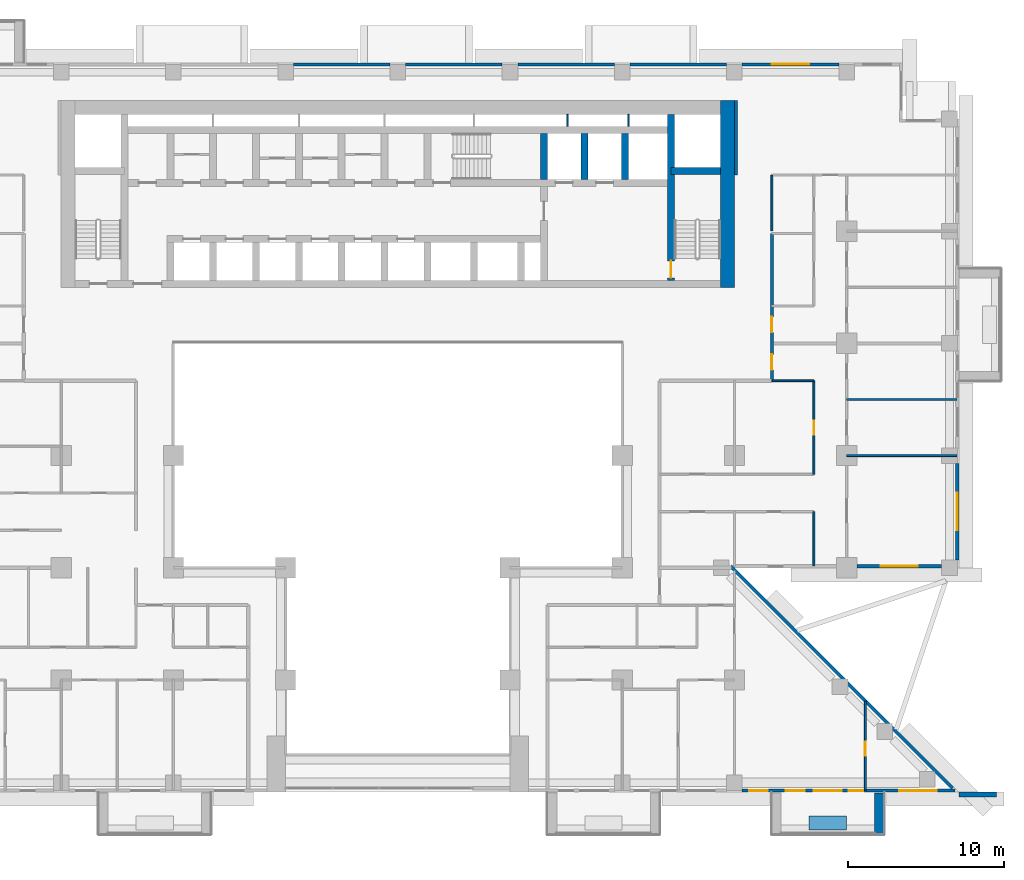
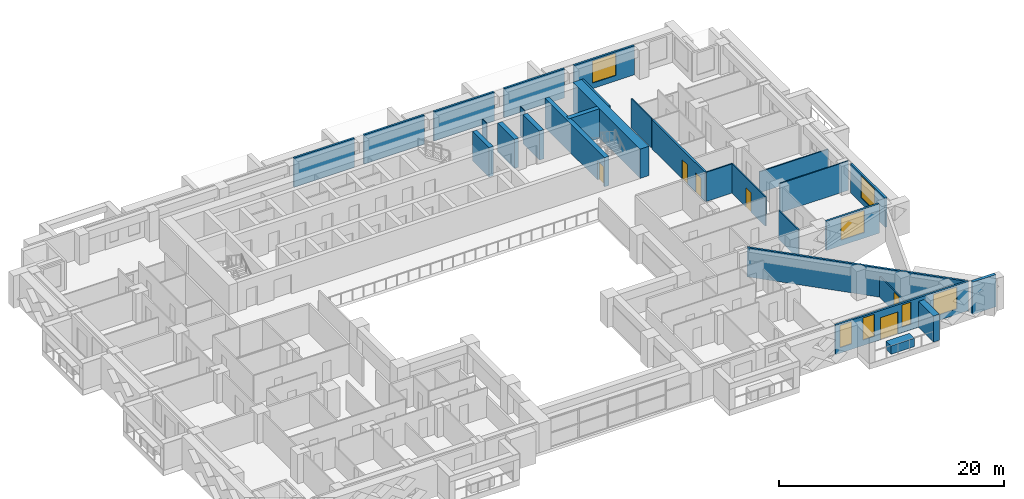
# One storey, part 11 of 17: 29 walls, 7 windows, 6 doors, 13 openings.
"""IFC4 building model written with IfcOpenShell, lengths in metres."""

from ifc_helpers import new_model, si_unit, direction, frame, frame_2d, origin, place, context, subcontext, project, spatial, rectangle, extrude, material, layer, layer_set, type_object, element, fill, save


model = new_model("IFC4")

# Units and contexts
model_context = context("Model", 3, precision=1e-05, world=origin(), true_north=direction((0.0, 1.0)))
body_context = subcontext(model_context, "Body", "Model", "MODEL_VIEW")
ifc_project = project(units=[si_unit("LENGTHUNIT", "METRE"), si_unit("AREAUNIT", "SQUARE_METRE"), si_unit("VOLUMEUNIT", "CUBIC_METRE"), si_unit("PLANEANGLEUNIT", "RADIAN"), si_unit("MASSUNIT", "GRAM", prefix="KILO")], contexts=[model_context])

# Site, building, storey
site_placement = place(None, origin())
site = spatial("IfcSite", under=ifc_project, at=site_placement, CompositionType="ELEMENT")
building_placement = place(site_placement, origin())
building = spatial("IfcBuilding", under=site, at=building_placement, Name="Saffron Iwan Residences", CompositionType="ELEMENT")
storey_placement = place(building_placement, frame((0.0, 0.0, 79.5)))
storey = spatial("IfcBuildingStorey", under=building, at=storey_placement, Name="L20", CompositionType="ELEMENT", Elevation=79.5)

# Walls
ifc_material_1 = material(Name="Concrete C50/60 white painted", Category="concrete")
ifc_layer_1 = layer(ifc_material_1, 0.60009765625)
ifc_layer_set_1 = layer_set([ifc_layer_1], Name="Concrete C50/60 white painted")
wall_type_1 = type_object("IfcWallType", Name="BALCONY FIN 600", PredefinedType="SOLIDWALL", material=ifc_layer_set_1)
wall_1_placement = place(storey_placement, frame((81.300048828125, 33.550048828125, 0.0), z_axis=(0.0, 0.0, 1.0), x_axis=(0.0, -1.0, 0.0)))
element("IfcWall", 1, at=wall_1_placement, inside=storey, type_object=wall_type_1, Name="Balcony fin L20 11-2b", PredefinedType="SOLIDWALL", context=body_context, shape_type="SweptSolid", body=[
    extrude(rectangle(XDim=2.650146484375, YDim=0.60009765625, at=frame_2d((1.3251953125, 0.0))), origin(), (0.0, 0.0, 1.0), 2.85009765625),
])
ifc_material_2 = material(Name="Concrete C35/45 white painted", Category="concrete")
ifc_layer_2 = layer(ifc_material_2, 0.14990234375)
ifc_layer_set_2 = layer_set([ifc_layer_2], Name="Concrete C35/45 white painted")
wall_type_2 = type_object("IfcWallType", Name="BALCONY PLANTER", PredefinedType="SOLIDWALL", material=ifc_layer_set_2)
wall_2_placement = place(storey_placement, frame((76.800048828125, 31.625, 0.0), z_axis=(0.0, 0.0, 1.0), x_axis=(1.0, 0.0, 0.0)))
element("IfcWall", 2, at=wall_2_placement, inside=storey, type_object=wall_type_2, Name="PLANTER L20 11-2", PredefinedType="SOLIDWALL", context=body_context, shape_type="SweptSolid", body=[
    extrude(rectangle(XDim=2.39990234375, YDim=0.89990234375, at=frame_2d((1.199951171875, 0.0))), origin(), (0.0, 0.0, 1.0), 0.89990234375),
])
ifc_material_3 = material(Name="Concrete C40/50", Category="concrete")
ifc_layer_3 = layer(ifc_material_3, 0.199951171875)
ifc_layer_set_3 = layer_set([ifc_layer_3], Name="Concrete C40/50")
wall_type_3 = type_object("IfcWallType", Name="EXTERNAL WALL 200", PredefinedType="SOLIDWALL", material=ifc_layer_set_3)
wall_3_placement = place(storey_placement, frame((85.995849609375, 33.862548828125, 0.0), z_axis=(0.0, 0.0, 1.0), x_axis=(-0.707100718496, 0.707112843825, 0.0)))
element("IfcWall", 3, at=wall_3_placement, inside=storey, type_object=wall_type_3, Name="External wall L20 F0.0", PredefinedType="SOLIDWALL", context=body_context, shape_type="SweptSolid", body=[
    extrude(rectangle(XDim=20.134765625, YDim=0.199951171875, at=frame_2d((10.0673828125, 0.0))), origin(), (0.0, 0.0, 1.0), 3.179931640625),
])

# Wall, opening, window
wall_4_placement = place(storey_placement, frame((79.85009765625, 48.10009765625, 0.0), z_axis=(0.0, 0.0, 1.0), x_axis=(1.0, 0.0, 0.0)))
wall_4 = element("IfcWall", 4, at=wall_4_placement, inside=storey, type_object=wall_type_3, Name="External wall L20 F1.1", PredefinedType="SOLIDWALL", context=body_context, shape_type="SweptSolid", body=[
    extrude(rectangle(XDim=5.449951171875, YDim=0.199951171875, at=frame_2d((2.72509765625, 0.0))), origin(), (0.0, 0.0, 1.0), 3.179931640625),
])
opening_1_placement = place(wall_4_placement, frame((1.52490234375, 0.0, 0.60009765625)))
opening_1 = element("IfcOpeningElement", 5, at=opening_1_placement, cuts=wall_4, Name="Opening W1", PredefinedType="OPENING", context=body_context, shape_type="SweptSolid", body=[
    extrude(rectangle(XDim=2.39990234375, YDim=2.39990234375, at=frame_2d((1.199951171875, 1.199951171875))), frame((0.0, 0.10986328125, 0.0), z_axis=(0.0, -1.0, 0.0), x_axis=(1.0, 0.0, 0.0)), (0.0, 0.0, 1.0), 0.219970703125),
])
ifc_material_4 = material(Name="Clear glass, laminated double glazed", Category="glass")
window_type_1 = type_object("IfcWindowType", Name="WINDOW 2400 x 2400", PartitioningType="DOUBLE_PANEL_VERTICAL", PredefinedType="WINDOW", material=ifc_material_4)
window_1_placement = place(opening_1_placement, origin())
window_1 = element("IfcWindow", 6, at=window_1_placement, inside=storey, type_object=window_type_1, Name="Window L20 F1.0", OverallHeight=2.39990234375, OverallWidth=2.39990234375, PartitioningType="DOUBLE_PANEL_VERTICAL", PredefinedType="WINDOW", context=body_context, shape_type="SweptSolid", body=[
    extrude(rectangle(XDim=2.39990234375, YDim=2.39990234375, at=frame_2d((1.199951171875, 1.199951171875))), frame((0.0, 0.030029296875, 0.0), z_axis=(0.0, -1.0, 0.0), x_axis=(1.0, 0.0, 0.0)), (0.0, 0.0, 1.0), 0.06005859375),
])
fill(opening_1, window_1)

wall_5_placement = place(storey_placement, frame((86.300048828125, 48.5, 0.0), z_axis=(0.0, 0.0, 1.0), x_axis=(0.0, 1.0, 0.0)))
wall_5 = element("IfcWall", 7, at=wall_5_placement, inside=storey, type_object=wall_type_3, Name="External wall L20 F2.0", PredefinedType="SOLIDWALL", context=body_context, shape_type="SweptSolid", body=[
    extrude(rectangle(XDim=6.199951171875, YDim=0.199951171875, at=frame_2d((3.10009765625, 0.0))), origin(), (0.0, 0.0, 1.0), 3.179931640625),
])
opening_2_placement = place(wall_5_placement, frame((1.89990234375, 0.0, 0.60009765625)))
opening_2 = element("IfcOpeningElement", 8, at=opening_2_placement, cuts=wall_5, Name="Opening W1", PredefinedType="OPENING", context=body_context, shape_type="SweptSolid", body=[
    extrude(rectangle(XDim=2.39990234375, YDim=2.39990234375, at=frame_2d((1.199951171875, 1.199951171875))), frame((0.0, 0.10986328125, 0.0), z_axis=(0.0, -1.0, 0.0), x_axis=(1.0, 0.0, 0.0)), (0.0, 0.0, 1.0), 0.219970703125),
])
window_2_placement = place(opening_2_placement, origin())
window_2 = element("IfcWindow", 9, at=window_2_placement, inside=storey, type_object=window_type_1, Name="Window L20 F2.0", OverallHeight=2.39990234375, OverallWidth=2.39990234375, PartitioningType="DOUBLE_PANEL_VERTICAL", PredefinedType="WINDOW", context=body_context, shape_type="SweptSolid", body=[
    extrude(rectangle(XDim=2.39990234375, YDim=2.39990234375, at=frame_2d((1.199951171875, 1.199951171875))), frame((0.0, 0.030029296875, 0.0), z_axis=(0.0, -1.0, 0.0), x_axis=(1.0, 0.0, 0.0)), (0.0, 0.0, 1.0), 0.06005859375),
])
fill(opening_2, window_2)

wall_6_placement = place(storey_placement, frame((78.699951171875, 80.300048828125, 0.0), z_axis=(0.0, 0.0, 1.0), x_axis=(-1.0, 0.0, 0.0)))
wall_6 = element("IfcWall", 10, at=wall_6_placement, inside=storey, type_object=wall_type_3, Name="External wall L20 F5.1", PredefinedType="SOLIDWALL", context=body_context, shape_type="SweptSolid", body=[
    extrude(rectangle(XDim=6.199951171875, YDim=0.199951171875, at=frame_2d((3.10009765625, 0.0))), origin(), (0.0, 0.0, 1.0), 3.179931640625),
])
opening_3_placement = place(wall_6_placement, frame((1.89990234375, 0.0, 0.60009765625)))
opening_3 = element("IfcOpeningElement", 11, at=opening_3_placement, cuts=wall_6, Name="Opening W1", PredefinedType="OPENING", context=body_context, shape_type="SweptSolid", body=[
    extrude(rectangle(XDim=2.39990234375, YDim=2.39990234375, at=frame_2d((1.199951171875, 1.199951171875))), frame((0.0, 0.10986328125, 0.0), z_axis=(0.0, -1.0, 0.0), x_axis=(1.0, 0.0, 0.0)), (0.0, 0.0, 1.0), 0.219970703125),
])
window_3_placement = place(opening_3_placement, origin())
window_3 = element("IfcWindow", 12, at=window_3_placement, inside=storey, type_object=window_type_1, Name="Window L20 F5.0", OverallHeight=2.39990234375, OverallWidth=2.39990234375, PartitioningType="DOUBLE_PANEL_VERTICAL", PredefinedType="WINDOW", context=body_context, shape_type="SweptSolid", body=[
    extrude(rectangle(XDim=2.39990234375, YDim=2.39990234375, at=frame_2d((1.199951171875, 1.199951171875))), frame((0.0, 0.030029296875, 0.0), z_axis=(0.0, -1.0, 0.0), x_axis=(1.0, 0.0, 0.0)), (0.0, 0.0, 1.0), 0.06005859375),
])
fill(opening_3, window_3)

# Walls
for number, where, z_axis, x_axis, name in (
    (13, (71.5, 80.300048828125, 0.0), (0.0, 0.0, 1.0), (-1.0, 0.0, 0.0), "External wall L20 F5.2"),
    (14, (64.300048828125, 80.300048828125, 0.0), (0.0, 0.0, 1.0), (-1.0, 0.0, 0.0), "External wall L20 F5.3"),
):
    element("IfcWall", number, at=place(storey_placement, frame(where, z_axis=z_axis, x_axis=x_axis)), inside=storey, type_object=wall_type_3, Name=name, PredefinedType="SOLIDWALL", context=body_context, shape_type="SweptSolid", body=[
        extrude(rectangle(XDim=6.199951171875, YDim=0.199951171875, at=frame_2d((3.10009765625, 0.0))), origin(), (0.0, 0.0, 1.0), 3.179931640625),
    ])
wall_7_placement = place(storey_placement, frame((57.10009765625, 80.300048828125, 0.0), z_axis=(0.0, 0.0, 1.0), x_axis=(-1.0, 0.0, 0.0)))
element("IfcWall", 15, at=wall_7_placement, inside=storey, type_object=wall_type_3, Name="External wall L20 F5.4", PredefinedType="SOLIDWALL", context=body_context, shape_type="SweptSolid", body=[
    extrude(rectangle(XDim=6.2001953125, YDim=0.199951171875, at=frame_2d((3.10009765625, 0.0))), origin(), (0.0, 0.0, 1.0), 3.179931640625),
])
wall_8_placement = place(storey_placement, frame((49.89990234375, 80.300048828125, 0.0), z_axis=(0.0, 0.0, 1.0), x_axis=(-1.0, 0.0, 0.0)))
element("IfcWall", 16, at=wall_8_placement, inside=storey, type_object=wall_type_3, Name="External wall L20 F5.5", PredefinedType="SOLIDWALL", context=body_context, shape_type="SweptSolid", body=[
    extrude(rectangle(XDim=6.199951171875, YDim=0.199951171875, at=frame_2d((3.10009765625, 0.0))), origin(), (0.0, 0.0, 1.0), 3.179931640625),
])

# Wall, openings, door, windows
wall_9_placement = place(storey_placement, frame((72.5, 33.699951171875, 0.0), z_axis=(0.0, 0.0, 1.0), x_axis=(1.0, 0.0, 0.0)))
wall_9 = element("IfcWall", 17, at=wall_9_placement, inside=storey, type_object=wall_type_3, Name="External wall L20 F11.6", PredefinedType="SOLIDWALL", context=body_context, shape_type="SweptSolid", body=[
    extrude(rectangle(XDim=13.65869140625, YDim=0.199951171875, at=frame_2d((6.829345703125, 0.0))), origin(), (0.0, 0.0, 1.0), 3.179931640625),
])
opening_4_placement = place(wall_9_placement, frame((4.60009765625, 0.0, 0.0)))
opening_4 = element("IfcOpeningElement", 18, at=opening_4_placement, cuts=wall_9, Name="Opening BD1", PredefinedType="OPENING", context=body_context, shape_type="SweptSolid", body=[
    extrude(rectangle(XDim=1.800048828125, YDim=2.39990234375, at=frame_2d((0.89990234375, 1.199951171875))), frame((0.0, 0.10986328125, 0.0), z_axis=(0.0, -1.0, 0.0), x_axis=(1.0, 0.0, 0.0)), (0.0, 0.0, 1.0), 0.219970703125),
])
opening_5_placement = place(wall_9_placement, frame((0.449951171875, 0.0, 0.60009765625)))
opening_5 = element("IfcOpeningElement", 19, at=opening_5_placement, cuts=wall_9, Name="Opening W3", PredefinedType="OPENING", context=body_context, shape_type="SweptSolid", body=[
    extrude(rectangle(XDim=1.199951171875, YDim=2.39990234375, at=frame_2d((0.60009765625, 1.199951171875))), frame((0.0, 0.10986328125, 0.0), z_axis=(0.0, -1.0, 0.0), x_axis=(1.0, 0.0, 0.0)), (0.0, 0.0, 1.0), 0.219970703125),
])
opening_6_placement = place(wall_9_placement, frame((2.800048828125, 0.0, 0.60009765625)))
opening_6 = element("IfcOpeningElement", 20, at=opening_6_placement, cuts=wall_9, Name="Opening W3", PredefinedType="OPENING", context=body_context, shape_type="SweptSolid", body=[
    extrude(rectangle(XDim=1.199951171875, YDim=2.39990234375, at=frame_2d((0.60009765625, 1.199951171875))), frame((0.0, 0.10986328125, 0.0), z_axis=(0.0, -1.0, 0.0), x_axis=(1.0, 0.0, 0.0)), (0.0, 0.0, 1.0), 0.219970703125),
])
opening_7_placement = place(wall_9_placement, frame((6.85009765625, 0.0, 0.60009765625)))
opening_7 = element("IfcOpeningElement", 21, at=opening_7_placement, cuts=wall_9, Name="Opening W10", PredefinedType="OPENING", context=body_context, shape_type="SweptSolid", body=[
    extrude(rectangle(XDim=0.89990234375, YDim=2.39990234375, at=frame_2d((0.449951171875, 1.199951171875))), frame((0.0, 0.10986328125, 0.0), z_axis=(0.0, -1.0, 0.0), x_axis=(1.0, 0.0, 0.0)), (0.0, 0.0, 1.0), 0.219970703125),
])
opening_8_placement = place(wall_9_placement, frame((10.079345703125, 0.0, 0.60009765625)))
opening_8 = element("IfcOpeningElement", 22, at=opening_8_placement, cuts=wall_9, Name="Opening W1", PredefinedType="OPENING", context=body_context, shape_type="SweptSolid", body=[
    extrude(rectangle(XDim=2.39990234375, YDim=2.39990234375, at=frame_2d((1.199951171875, 1.199951171875))), frame((0.0, 0.10986328125, 0.0), z_axis=(0.0, -1.0, 0.0), x_axis=(1.0, 0.0, 0.0)), (0.0, 0.0, 1.0), 0.219970703125),
])
door_type_1 = type_object("IfcDoorType", Name="BALCONY DOOR 1800 x 2400", OperationType="DOUBLE_DOOR_SLIDING", PredefinedType="DOOR", material=ifc_material_4)
door_1_placement = place(opening_4_placement, origin())
door_1 = element("IfcDoor", 23, at=door_1_placement, inside=storey, type_object=door_type_1, Name="Balcony door L20 F11.0", OperationType="DOUBLE_DOOR_SLIDING", OverallHeight=2.39990234375, OverallWidth=1.800048828125, PredefinedType="DOOR", context=body_context, shape_type="SweptSolid", body=[
    extrude(rectangle(XDim=1.800048828125, YDim=2.39990234375, at=frame_2d((0.89990234375, 1.199951171875))), frame((0.0, 0.02490234375, 0.0), z_axis=(0.0, -1.0, 0.0), x_axis=(1.0, 0.0, 0.0)), (0.0, 0.0, 1.0), 0.050048828125),
])
fill(opening_4, door_1)
window_type_2 = type_object("IfcWindowType", Name="WINDOW 1200 x 2400", PartitioningType="SINGLE_PANEL", PredefinedType="WINDOW", material=ifc_material_4)
window_4_placement = place(opening_5_placement, origin())
window_4 = element("IfcWindow", 24, at=window_4_placement, inside=storey, type_object=window_type_2, Name="Window L20 F11.1", OverallHeight=2.39990234375, OverallWidth=1.199951171875, PartitioningType="SINGLE_PANEL", PredefinedType="WINDOW", context=body_context, shape_type="SweptSolid", body=[
    extrude(rectangle(XDim=1.199951171875, YDim=2.39990234375, at=frame_2d((0.60009765625, 1.199951171875))), frame((0.0, 0.030029296875, 0.0), z_axis=(0.0, -1.0, 0.0), x_axis=(1.0, 0.0, 0.0)), (0.0, 0.0, 1.0), 0.06005859375),
])
fill(opening_5, window_4)
window_5_placement = place(opening_6_placement, origin())
window_5 = element("IfcWindow", 25, at=window_5_placement, inside=storey, type_object=window_type_2, Name="Window L20 F11.2", OverallHeight=2.39990234375, OverallWidth=1.199951171875, PartitioningType="SINGLE_PANEL", PredefinedType="WINDOW", context=body_context, shape_type="SweptSolid", body=[
    extrude(rectangle(XDim=1.199951171875, YDim=2.39990234375, at=frame_2d((0.60009765625, 1.199951171875))), frame((0.0, 0.030029296875, 0.0), z_axis=(0.0, -1.0, 0.0), x_axis=(1.0, 0.0, 0.0)), (0.0, 0.0, 1.0), 0.06005859375),
])
fill(opening_6, window_5)
window_6_placement = place(opening_8_placement, origin())
window_6 = element("IfcWindow", 26, at=window_6_placement, inside=storey, type_object=window_type_1, Name="Window L20 F11.4", OverallHeight=2.39990234375, OverallWidth=2.39990234375, PartitioningType="DOUBLE_PANEL_VERTICAL", PredefinedType="WINDOW", context=body_context, shape_type="SweptSolid", body=[
    extrude(rectangle(XDim=2.39990234375, YDim=2.39990234375, at=frame_2d((1.199951171875, 1.199951171875))), frame((0.0, 0.030029296875, 0.0), z_axis=(0.0, -1.0, 0.0), x_axis=(1.0, 0.0, 0.0)), (0.0, 0.0, 1.0), 0.06005859375),
])
fill(opening_8, window_6)
window_type_3 = type_object("IfcWindowType", Name="WINDOW 900 x 2400", PartitioningType="SINGLE_PANEL", PredefinedType="WINDOW", material=ifc_material_4)
window_7_placement = place(opening_7_placement, origin())
window_7 = element("IfcWindow", 27, at=window_7_placement, inside=storey, type_object=window_type_3, Name="Window L20 F11.3", OverallHeight=2.39990234375, OverallWidth=0.89990234375, PartitioningType="SINGLE_PANEL", PredefinedType="WINDOW", context=body_context, shape_type="SweptSolid", body=[
    extrude(rectangle(XDim=0.89990234375, YDim=2.39990234375, at=frame_2d((0.449951171875, 1.199951171875))), frame((0.0, 0.030029296875, 0.0), z_axis=(0.0, -1.0, 0.0), x_axis=(1.0, 0.0, 0.0)), (0.0, 0.0, 1.0), 0.06005859375),
])
fill(opening_7, window_7)

# Walls
ifc_material_5 = material(Name="Gypsum board partition")
ifc_layer_4 = layer(ifc_material_5, 0.1201171875)
ifc_layer_set_4 = layer_set([ifc_layer_4], Name="Gypsum board partition")
wall_type_4 = type_object("IfcWallType", Name="Flat partition 120", PredefinedType="PARTITIONING", material=ifc_layer_set_4)
wall_10_placement = place(storey_placement, frame((79.199951171875, 55.199951171875, 0.0), z_axis=(0.0, 0.0, 1.0), x_axis=(1.0, 0.0, 0.0)))
element("IfcWall", 28, at=wall_10_placement, inside=storey, type_object=wall_type_4, Name="W-L20-PART-h55.2-79.2", PredefinedType="PARTITIONING", context=body_context, shape_type="SweptSolid", body=[
    extrude(rectangle(XDim=7.074951171875, YDim=0.1201171875, at=frame_2d((3.53759765625, 0.0))), origin(), (0.0, 0.0, 1.0), 3.179931640625),
])
wall_11_placement = place(storey_placement, frame((79.199951171875, 58.800048828125, 0.0), z_axis=(0.0, 0.0, 1.0), x_axis=(1.0, 0.0, 0.0)))
element("IfcWall", 29, at=wall_11_placement, inside=storey, type_object=wall_type_4, Name="W-L20-PART-h58.8-79.2", PredefinedType="PARTITIONING", context=body_context, shape_type="SweptSolid", body=[
    extrude(rectangle(XDim=7.074951171875, YDim=0.1201171875, at=frame_2d((3.53759765625, 0.0))), origin(), (0.0, 0.0, 1.0), 2.280029296875),
])
wall_12_placement = place(storey_placement, frame((74.39990234375, 60.0, 0.0), z_axis=(0.0, 0.0, 1.0), x_axis=(1.0, 0.0, 0.0)))
element("IfcWall", 30, at=wall_12_placement, inside=storey, type_object=wall_type_4, Name="W-L20-PART-h60-74.4", PredefinedType="PARTITIONING", context=body_context, shape_type="SweptSolid", body=[
    extrude(rectangle(XDim=2.7001953125, YDim=0.1201171875, at=frame_2d((1.35009765625, 0.0))), origin(), (0.0, 0.0, 1.0), 3.179931640625),
])
wall_13_placement = place(storey_placement, frame((74.39990234375, 69.6201171875, 0.0), z_axis=(0.0, 0.0, 1.0), x_axis=(0.0, 1.0, 0.0)))
element("IfcWall", 31, at=wall_13_placement, inside=storey, type_object=wall_type_4, Name="W-L20-PART-v74.4-69.62", PredefinedType="PARTITIONING", context=body_context, shape_type="SweptSolid", body=[
    extrude(rectangle(XDim=3.579833984375, YDim=0.1201171875, at=frame_2d((1.7900390625, 0.0))), origin(), (0.0, 0.0, 1.0), 3.179931640625),
])
wall_14_placement = place(storey_placement, frame((77.10009765625, 48.125, 0.0), z_axis=(0.0, 0.0, 1.0), x_axis=(0.0, 1.0, 0.0)))
element("IfcWall", 32, at=wall_14_placement, inside=storey, type_object=wall_type_4, Name="W-L20-PART-v77.1-48.125", PredefinedType="PARTITIONING", context=body_context, shape_type="SweptSolid", body=[
    extrude(rectangle(XDim=3.47509765625, YDim=0.1201171875, at=frame_2d((1.737548828125, 0.0))), origin(), (0.0, 0.0, 1.0), 3.179931640625),
])

# Wall, opening, door
wall_15_placement = place(storey_placement, frame((77.10009765625, 54.0, 0.0), z_axis=(0.0, 0.0, 1.0), x_axis=(0.0, 1.0, 0.0)))
wall_15 = element("IfcWall", 33, at=wall_15_placement, inside=storey, type_object=wall_type_4, Name="W-L20-PART-v77.1-54", PredefinedType="PARTITIONING", context=body_context, shape_type="SweptSolid", body=[
    extrude(rectangle(XDim=6.0, YDim=0.1201171875, at=frame_2d((3.0, 0.0))), origin(), (0.0, 0.0, 1.0), 3.179931640625),
])
opening_9_placement = place(wall_15_placement, frame((2.550048828125, 0.0, 0.0)))
opening_9 = element("IfcOpeningElement", 34, at=opening_9_placement, cuts=wall_15, Name="Opening FD2", PredefinedType="OPENING", context=body_context, shape_type="SweptSolid", body=[
    extrude(rectangle(XDim=0.89990234375, YDim=2.10009765625, at=frame_2d((0.449951171875, 1.050048828125))), frame((0.0, 0.070068359375, 0.0), z_axis=(0.0, -1.0, 0.0), x_axis=(1.0, 0.0, 0.0)), (0.0, 0.0, 1.0), 0.14013671875),
])
ifc_material_6 = material(Name="Timber door", Category="wood")
door_type_2 = type_object("IfcDoorType", Name="Flat door 900", OperationType="NOTDEFINED", PredefinedType="DOOR", material=ifc_material_6)
door_2_placement = place(opening_9_placement, origin())
door_2 = element("IfcDoor", 35, at=door_2_placement, inside=storey, type_object=door_type_2, Name="Door L20-026", OperationType="SINGLE_SWING_RIGHT", OverallHeight=2.10009765625, OverallWidth=0.89990234375, PredefinedType="DOOR", context=body_context, shape_type="SweptSolid", body=[
    extrude(rectangle(XDim=0.89990234375, YDim=2.10009765625, at=frame_2d((0.449951171875, 1.050048828125))), frame((0.0, 0.02490234375, 0.0), z_axis=(0.0, -1.0, 0.0), x_axis=(1.0, 0.0, 0.0)), (0.0, 0.0, 1.0), 0.050048828125),
])
fill(opening_9, door_2)

wall_16_placement = place(storey_placement, frame((80.39990234375, 33.72509765625, 0.0), z_axis=(0.0, 0.0, 1.0), x_axis=(0.0, 1.0, 0.0)))
wall_16 = element("IfcWall", 36, at=wall_16_placement, inside=storey, type_object=wall_type_4, Name="W-L20-PART-v80.4-33.725", PredefinedType="PARTITIONING", context=body_context, shape_type="SweptSolid", body=[
    extrude(rectangle(XDim=5.697998046875, YDim=0.1201171875, at=frame_2d((2.84912109375, 0.0))), origin(), (0.0, 0.0, 1.0), 2.280029296875),
])
opening_10_placement = place(wall_16_placement, frame((2.198974609375, 0.0, 0.0)))
opening_10 = element("IfcOpeningElement", 37, at=opening_10_placement, cuts=wall_16, Name="Opening FD2", PredefinedType="OPENING", context=body_context, shape_type="SweptSolid", body=[
    extrude(rectangle(XDim=0.89990234375, YDim=2.10009765625, at=frame_2d((0.449951171875, 1.050048828125))), frame((0.0, 0.070068359375, 0.0), z_axis=(0.0, -1.0, 0.0), x_axis=(1.0, 0.0, 0.0)), (0.0, 0.0, 1.0), 0.14013671875),
])
door_3_placement = place(opening_10_placement, origin())
door_3 = element("IfcDoor", 38, at=door_3_placement, inside=storey, type_object=door_type_2, Name="Door L20-051", OperationType="SINGLE_SWING_RIGHT", OverallHeight=2.10009765625, OverallWidth=0.89990234375, PredefinedType="DOOR", context=body_context, shape_type="SweptSolid", body=[
    extrude(rectangle(XDim=0.89990234375, YDim=2.10009765625, at=frame_2d((0.449951171875, 1.050048828125))), frame((0.0, 0.02490234375, 0.0), z_axis=(0.0, -1.0, 0.0), x_axis=(1.0, 0.0, 0.0)), (0.0, 0.0, 1.0), 0.050048828125),
])
fill(opening_10, door_3)

# Wall
ifc_material_7 = material(Name="Fire-rated gypsum board wall")
ifc_layer_5 = layer(ifc_material_7, 0.199951171875)
ifc_layer_set_5 = layer_set([ifc_layer_5], Name="Fire-rated gypsum board wall")
wall_type_5 = type_object("IfcWallType", Name="Gallery wall 200", PredefinedType="SOLIDWALL", material=ifc_layer_set_5)
wall_17_placement = place(storey_placement, frame((72.10009765625, 73.199951171875, 0.0), z_axis=(0.0, 0.0, 1.0), x_axis=(0.0, 1.0, 0.0)))
element("IfcWall", 39, at=wall_17_placement, inside=storey, type_object=wall_type_5, Name="W-L20-CORR-v72-73.2", PredefinedType="SOLIDWALL", context=body_context, shape_type="SweptSolid", body=[
    extrude(rectangle(XDim=4.800048828125, YDim=0.199951171875, at=frame_2d((2.39990234375, 0.0))), origin(), (0.0, 0.0, 1.0), 3.179931640625),
])

# Wall, openings, doors
wall_18_placement = place(storey_placement, frame((74.39990234375, 60.0, 0.0), z_axis=(0.0, 0.0, 1.0), x_axis=(0.0, 1.0, 0.0)))
wall_18 = element("IfcWall", 40, at=wall_18_placement, inside=storey, type_object=wall_type_5, Name="W-L20-CORR-v74.4-60", PredefinedType="SOLIDWALL", context=body_context, shape_type="SweptSolid", body=[
    extrude(rectangle(XDim=9.449951171875, YDim=0.199951171875, at=frame_2d((4.72509765625, 0.0))), origin(), (0.0, 0.0, 1.0), 3.179931640625),
])
opening_11_placement = place(wall_18_placement, frame((0.699951171875, 0.0, 0.0)))
opening_11 = element("IfcOpeningElement", 41, at=opening_11_placement, cuts=wall_18, Name="Opening FD1", PredefinedType="OPENING", context=body_context, shape_type="SweptSolid", body=[
    extrude(rectangle(XDim=1.0, YDim=2.10009765625, at=frame_2d((0.5, 1.050048828125))), frame((0.0, 0.10986328125, 0.0), z_axis=(0.0, -1.0, 0.0), x_axis=(1.0, 0.0, 0.0)), (0.0, 0.0, 1.0), 0.219970703125),
])
opening_12_placement = place(wall_18_placement, frame((3.10009765625, 0.0, 0.0)))
opening_12 = element("IfcOpeningElement", 42, at=opening_12_placement, cuts=wall_18, Name="Opening FD1", PredefinedType="OPENING", context=body_context, shape_type="SweptSolid", body=[
    extrude(rectangle(XDim=1.0, YDim=2.10009765625, at=frame_2d((0.5, 1.050048828125))), frame((0.0, 0.10986328125, 0.0), z_axis=(0.0, -1.0, 0.0), x_axis=(1.0, 0.0, 0.0)), (0.0, 0.0, 1.0), 0.219970703125),
])
ifc_material_8 = material(Name="Fire-rated timber door", Category="wood")
door_type_3 = type_object("IfcDoorType", Name="FD30S flat entrance door 1000", OperationType="NOTDEFINED", PredefinedType="DOOR", material=ifc_material_8)
door_4_placement = place(opening_11_placement, origin())
door_4 = element("IfcDoor", 43, at=door_4_placement, inside=storey, type_object=door_type_3, Name="Door L20-021", OperationType="SINGLE_SWING_LEFT", OverallHeight=2.10009765625, OverallWidth=1.0, PredefinedType="DOOR", context=body_context, shape_type="SweptSolid", body=[
    extrude(rectangle(XDim=1.0, YDim=2.10009765625, at=frame_2d((0.5, 1.050048828125))), frame((0.0, 0.02490234375, 0.0), z_axis=(0.0, -1.0, 0.0), x_axis=(1.0, 0.0, 0.0)), (0.0, 0.0, 1.0), 0.050048828125),
])
fill(opening_11, door_4)
door_5_placement = place(opening_12_placement, origin())
door_5 = element("IfcDoor", 44, at=door_5_placement, inside=storey, type_object=door_type_3, Name="Door L20-036", OperationType="SINGLE_SWING_LEFT", OverallHeight=2.10009765625, OverallWidth=1.0, PredefinedType="DOOR", context=body_context, shape_type="SweptSolid", body=[
    extrude(rectangle(XDim=1.0, YDim=2.10009765625, at=frame_2d((0.5, 1.050048828125))), frame((0.0, 0.02490234375, 0.0), z_axis=(0.0, -1.0, 0.0), x_axis=(1.0, 0.0, 0.0)), (0.0, 0.0, 1.0), 0.050048828125),
])
fill(opening_12, door_5)

# Walls
ifc_layer_6 = layer(ifc_material_1, 0.300048828125)
ifc_layer_set_6 = layer_set([ifc_layer_6], Name="Concrete C50/60 white painted")
wall_type_6 = type_object("IfcWallType", Name="PROW BLADE 300", PredefinedType="SOLIDWALL", material=ifc_layer_set_6)
wall_19_placement = place(storey_placement, frame((86.39990234375, 33.449951171875, -0.320068359375), z_axis=(0.0, 0.0, 1.0), x_axis=(1.0, 0.0, 0.0)))
element("IfcWall", 45, at=wall_19_placement, inside=storey, type_object=wall_type_6, Name="Prow blade L20", PredefinedType="SOLIDWALL", context=body_context, shape_type="SweptSolid", body=[
    extrude(rectangle(XDim=2.400146484375, YDim=0.300048828125, at=frame_2d((1.2001953125, 0.0))), origin(), (0.0, 0.0, 1.0), 3.5),
])
ifc_material_9 = material(Name="Fire-rated plasterboard partition")
ifc_layer_7 = layer(ifc_material_9, 0.10009765625)
ifc_layer_set_7 = layer_set([ifc_layer_7], Name="Fire-rated plasterboard partition")
wall_type_7 = type_object("IfcWallType", Name="Riser partition 100", PredefinedType="PARTITIONING", material=ifc_layer_set_7)
for number, where, z_axis, x_axis, name in (
    (46, (61.300048828125, 76.324951171875, 0.0), (0.0, 0.0, 1.0), (0.0, 1.0, 0.0), "Core partition P09"),
    (47, (65.199951171875, 76.324951171875, 0.0), (0.0, 0.0, 1.0), (0.0, 1.0, 0.0), "Core partition P10"),
):
    element("IfcWall", number, at=place(storey_placement, frame(where, z_axis=z_axis, x_axis=x_axis)), inside=storey, type_object=wall_type_7, Name=name, PredefinedType="PARTITIONING", context=body_context, shape_type="SweptSolid", body=[
        extrude(rectangle(XDim=0.775146484375, YDim=0.10009765625, at=frame_2d((0.3876953125, 0.0))), origin(), (0.0, 0.0, 1.0), 3.179931640625),
    ])
ifc_material_10 = material(Name="Concrete C60/75", Category="concrete")
ifc_layer_8 = layer(ifc_material_10, 0.449951171875)
ifc_layer_set_8 = layer_set([ifc_layer_8], Name="Concrete C60/75")
wall_type_8 = type_object("IfcWallType", Name="WALL CORE 450 C60/75 3180 HIGH", PredefinedType="SHEAR", material=ifc_layer_set_8)
wall_20_placement = place(storey_placement, frame((67.925048828125, 73.47509765625, 0.0), z_axis=(0.0, 0.0, 1.0), x_axis=(1.0, 0.0, 0.0)))
element("IfcWall", 48, at=wall_20_placement, inside=storey, type_object=wall_type_8, Name="Core wall", PredefinedType="SHEAR", context=body_context, shape_type="SweptSolid", body=[
    extrude(rectangle(XDim=3.175048828125, YDim=0.449951171875, at=frame_2d((1.58740234375, 0.0))), origin(), (0.0, 0.0, 1.0), 3.179931640625),
])

# Wall, opening, door
wall_21_placement = place(storey_placement, frame((67.925048828125, 66.449951171875, 0.0), z_axis=(0.0, 0.0, 1.0), x_axis=(0.0, 1.0, 0.0)))
wall_21 = element("IfcWall", 49, at=wall_21_placement, inside=storey, type_object=wall_type_8, Name="Core wall", PredefinedType="SHEAR", context=body_context, shape_type="SweptSolid", body=[
    extrude(rectangle(XDim=10.650146484375, YDim=0.449951171875, at=frame_2d((5.3251953125, 0.0))), origin(), (0.0, 0.0, 1.0), 3.179931640625),
])
opening_13_placement = place(wall_21_placement, frame((0.14990234375, 0.0, 0.0)))
opening_13 = element("IfcOpeningElement", 50, at=opening_13_placement, cuts=wall_21, Name="Opening SD", PredefinedType="OPENING", context=body_context, shape_type="SweptSolid", body=[
    extrude(rectangle(XDim=1.10009765625, YDim=2.10009765625, at=frame_2d((0.550048828125, 1.050048828125))), frame((0.0, 0.23486328125, 0.0), z_axis=(0.0, -1.0, 0.0), x_axis=(1.0, 0.0, 0.0)), (0.0, 0.0, 1.0), 0.469970703125),
])
ifc_material_11 = material(Name="Steel fire door", Category="steel")
door_type_4 = type_object("IfcDoorType", Name="Stair door 1100", OperationType="NOTDEFINED", PredefinedType="DOOR", material=ifc_material_11)
door_6_placement = place(opening_13_placement, origin())
door_6 = element("IfcDoor", 51, at=door_6_placement, inside=storey, type_object=door_type_4, Name="Stair door ST-E", OperationType="SINGLE_SWING_LEFT", OverallHeight=2.10009765625, OverallWidth=1.10009765625, PredefinedType="DOOR", context=body_context, shape_type="SweptSolid", body=[
    extrude(rectangle(XDim=1.10009765625, YDim=2.10009765625, at=frame_2d((0.550048828125, 1.050048828125))), frame((0.0, 0.02490234375, 0.0), z_axis=(0.0, -1.0, 0.0), x_axis=(1.0, 0.0, 0.0)), (0.0, 0.0, 1.0), 0.050048828125),
])
fill(opening_13, door_6)

# Walls
for number, where, z_axis, x_axis, name in (
    (52, (59.77490234375, 72.925048828125, 0.0), (0.0, 0.0, 1.0), (0.0, 1.0, 0.0), "Core wall"),
    (53, (62.375, 72.925048828125, 0.0), (0.0, 0.0, 1.0), (0.0, 1.0, 0.0), "Core wall"),
    (54, (64.97509765625, 72.925048828125, 0.0), (0.0, 0.0, 1.0), (0.0, 1.0, 0.0), "Core wall"),
):
    element("IfcWall", number, at=place(storey_placement, frame(where, z_axis=z_axis, x_axis=x_axis)), inside=storey, type_object=wall_type_8, Name=name, PredefinedType="SHEAR", context=body_context, shape_type="SweptSolid", body=[
        extrude(rectangle(XDim=2.949951171875, YDim=0.449951171875, at=frame_2d((1.47509765625, 0.0))), origin(), (0.0, 0.0, 1.0), 3.179931640625),
    ])
ifc_layer_9 = layer(ifc_material_10, 0.89990234375)
ifc_layer_set_9 = layer_set([ifc_layer_9], Name="Concrete C60/75")
wall_type_9 = type_object("IfcWallType", Name="WALL CORE 900 C60/75 3180 HIGH", PredefinedType="SHEAR", material=ifc_layer_set_9)
wall_22_placement = place(storey_placement, frame((71.550048828125, 66.0, 0.0), z_axis=(0.0, 0.0, 1.0), x_axis=(0.0, 1.0, 0.0)))
element("IfcWall", 55, at=wall_22_placement, inside=storey, type_object=wall_type_9, Name="Core wall", PredefinedType="SHEAR", context=body_context, shape_type="SweptSolid", body=[
    extrude(rectangle(XDim=12.0, YDim=0.89990234375, at=frame_2d((6.0, 0.0))), origin(), (0.0, 0.0, 1.0), 3.179931640625),
])

save(model, "model.ifc")
